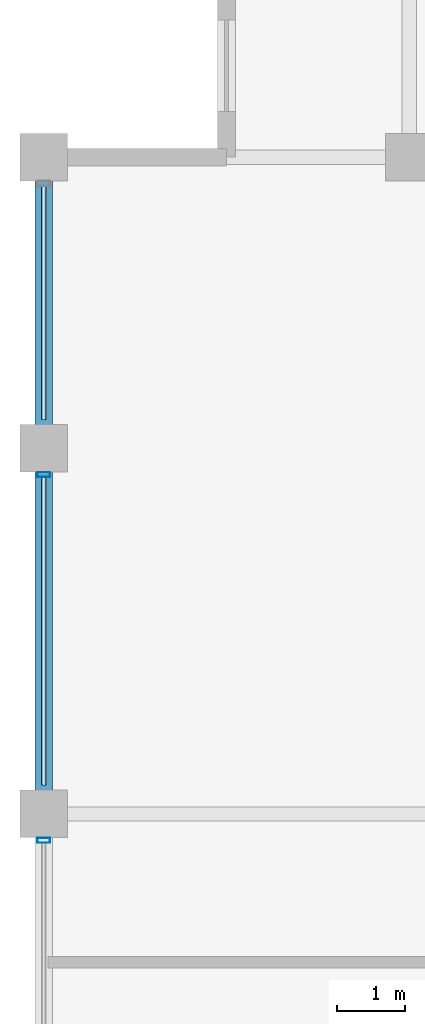
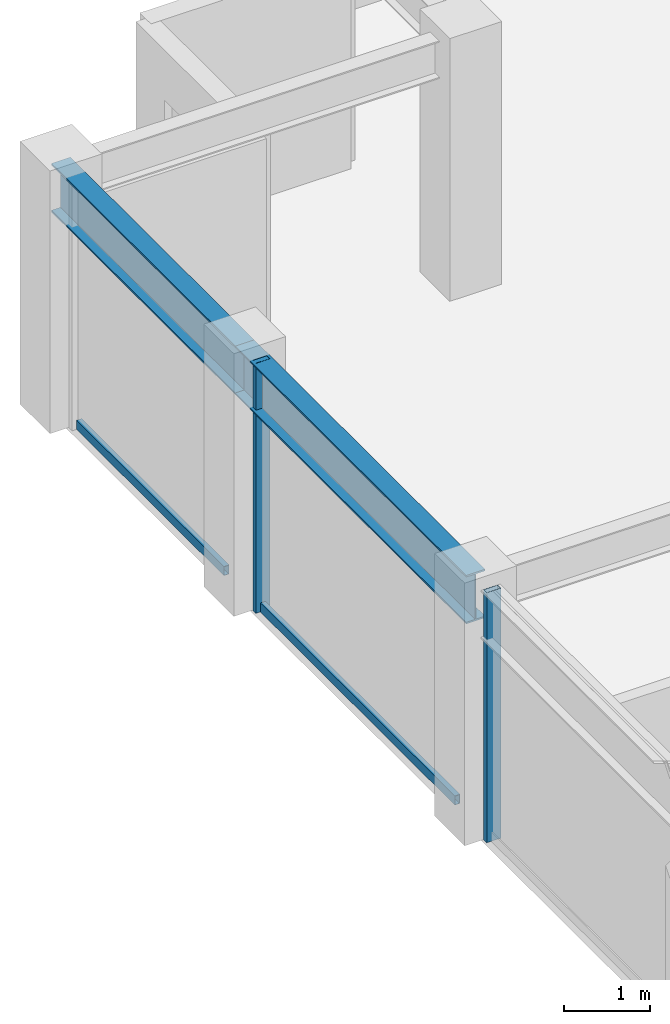
# One storey, part 14 of 30: 4 members, 2 beams, 1 element without a shape of its own.
"""IFC4 building model written with IfcOpenShell, lengths in metres."""

from ifc_helpers import new_model, si_unit, direction, frame, origin, origin_2d, place, context, subcontext, project, spatial, hollow_rectangle, i_section, extrude, material, layer, layer_set, material_profile, profile_set, type_object, element, aggregate, save


model = new_model("IFC4")

# Units and contexts
model_context = context("Model", 3, precision=1e-05, world=origin(), true_north=direction((0.0, 1.0)))
body_context = subcontext(model_context, "Body", "Model", "MODEL_VIEW")
ifc_project = project(units=[si_unit("LENGTHUNIT", "METRE"), si_unit("AREAUNIT", "SQUARE_METRE"), si_unit("VOLUMEUNIT", "CUBIC_METRE"), si_unit("PLANEANGLEUNIT", "RADIAN"), si_unit("MASSUNIT", "GRAM", prefix="KILO")], contexts=[model_context])

# Site, building, storey
site_placement = place(None, origin())
site = spatial("IfcSite", under=ifc_project, at=site_placement, CompositionType="ELEMENT")
building_placement = place(site_placement, origin())
building = spatial("IfcBuilding", under=site, at=building_placement, Name="Surkhivell Harbour Commons", CompositionType="ELEMENT")
storey_placement = place(building_placement, frame((0.0, 0.0, 292.5)))
storey = spatial("IfcBuildingStorey", under=building, at=storey_placement, Name="L76", CompositionType="ELEMENT", Elevation=292.5)

# Beams
ifc_material_1 = material(Name="Steel S355", Category="steel")
ifc_material_profile_1 = material_profile(ifc_material_1, i_section(OverallWidth=0.256103515625, OverallDepth=0.693115234375, WebThickness=0.014404296875, FlangeThickness=0.023681640625, at=origin_2d()), Name="UB686x254x170")
ifc_profile_set_1 = profile_set([ifc_material_profile_1], Name="Steel S355")
beam_type = type_object("IfcBeamType", Name="BM-SPN-686", PredefinedType="SPANDREL", material=ifc_profile_set_1)
beam_1_placement = place(storey_placement, frame((-27.0, 10.800048828125, 3.223388671875), z_axis=(0.0, 1.0, 0.0), x_axis=(-1.0, 0.0, 0.0)))
element("IfcBeam", 1, at=beam_1_placement, inside=storey, type_object=beam_type, Name="L76 Tube Spandrel (-27.0,10.8)", PredefinedType="SPANDREL", context=body_context, shape_type="SweptSolid", body=[
    extrude(i_section(OverallWidth=0.256103515625, OverallDepth=0.693115234375, WebThickness=0.014404296875, FlangeThickness=0.023681640625, at=origin_2d()), origin(), (0.0, 0.0, 1.0), 5.39990234375),
])
beam_2_placement = place(storey_placement, frame((-27.0, 16.199951171875, 3.223388671875), z_axis=(0.0, 1.0, 0.0), x_axis=(-1.0, 0.0, 0.0)))
element("IfcBeam", 2, at=beam_2_placement, inside=storey, type_object=beam_type, Name="L76 Tube Spandrel (-27.0,16.2)", PredefinedType="SPANDREL", context=body_context, shape_type="SweptSolid", body=[
    extrude(i_section(OverallWidth=0.256103515625, OverallDepth=0.693115234375, WebThickness=0.014404296875, FlangeThickness=0.023681640625, at=origin_2d()), origin(), (0.0, 0.0, 1.0), 4.300048828125),
])

# Curtain wall, members
ifc_material_2 = material(Name="Anodised pale-metal aluminium and insulated glazing", Category="aluminium")
ifc_layer = layer(ifc_material_2, 0.175048828125)
ifc_layer_set = layer_set([ifc_layer], Name="Anodised pale-metal aluminium and insulated glazing")
curtain_wall_type = type_object("IfcCurtainWallType", Name="CW-SYS-Z4", PredefinedType="NOTDEFINED", material=ifc_layer_set)
curtain_wall_placement = place(storey_placement, origin())
curtain_wall = element("IfcCurtainWall", 3, at=curtain_wall_placement, inside=storey, type_object=curtain_wall_type, Name="L76 Curtain Wall CW-L76-E12S1", PredefinedType="NOTDEFINED")
ifc_material_3 = material(Name="Anodised pale-metal aluminium alloy 6063-T6", Category="aluminium")
ifc_material_profile_2 = material_profile(ifc_material_3, hollow_rectangle(XDim=0.074951171875, YDim=0.18994140625, WallThickness=0.00390625, at=origin_2d()), Name="ALU-MULL-75x190")
ifc_profile_set_2 = profile_set([ifc_material_profile_2], Name="Anodised pale-metal aluminium alloy 6063-T6")
member_type_1 = type_object("IfcMemberType", Name="CWM-190", PredefinedType="MULLION", material=ifc_profile_set_2)
member_1_placement = place(storey_placement, frame((-27.0, 15.810546875, 0.0), z_axis=(0.0, 0.0, 1.0), x_axis=(0.0, -1.0, 0.0)))
member_1 = element("IfcMember", 4, at=member_1_placement, type_object=member_type_1, Name="CW-Z4 mullion 2", PredefinedType="MULLION", context=body_context, shape_type="SweptSolid", body=[
    extrude(hollow_rectangle(XDim=0.074951171875, YDim=0.18994140625, WallThickness=0.00390625, at=origin_2d()), origin(), (0.0, 0.0, 1.0), 3.570068359375),
])
member_2_placement = place(storey_placement, frame((-27.0, 10.410400390625, 0.0), z_axis=(0.0, 0.0, 1.0), x_axis=(0.0, -1.0, 0.0)))
member_2 = element("IfcMember", 5, at=member_2_placement, type_object=member_type_1, Name="CW-Z4 mullion 3", PredefinedType="MULLION", context=body_context, shape_type="SweptSolid", body=[
    extrude(hollow_rectangle(XDim=0.074951171875, YDim=0.18994140625, WallThickness=0.00390625, at=origin_2d()), origin(), (0.0, 0.0, 1.0), 3.570068359375),
])
ifc_material_4 = material(Name="Champagne anodised aluminium alloy 6063-T6", Category="aluminium")
ifc_material_profile_3 = material_profile(ifc_material_4, hollow_rectangle(XDim=0.070068359375, YDim=0.1298828125, WallThickness=0.00341796875, at=origin_2d()), Name="ALU-TRAN-70x130")
ifc_profile_set_3 = profile_set([ifc_material_profile_3], Name="Champagne anodised aluminium alloy 6063-T6")
member_type_2 = type_object("IfcMemberType", Name="CWT-130", PredefinedType="USERDEFINED", material=ifc_profile_set_3)
member_3_placement = place(storey_placement, frame((-27.0, 20.072998046875, 0.06494140625), z_axis=(0.0, -1.0, 0.0), x_axis=(1.0, 0.0, 0.0)))
member_3 = element("IfcMember", 6, at=member_3_placement, type_object=member_type_2, Name="CW-Z4 transom 1.1", ObjectType="TRANSOM", PredefinedType="USERDEFINED", context=body_context, shape_type="SweptSolid", body=[
    extrude(hollow_rectangle(XDim=0.070068359375, YDim=0.1298828125, WallThickness=0.00341796875, at=origin_2d()), origin(), (0.0, 0.0, 1.0), 3.446044921875),
])
member_4_placement = place(storey_placement, frame((-27.0, 15.77294921875, 0.06494140625), z_axis=(0.0, -1.0, 0.0), x_axis=(1.0, 0.0, 0.0)))
member_4 = element("IfcMember", 7, at=member_4_placement, type_object=member_type_2, Name="CW-Z4 transom 2.1", ObjectType="TRANSOM", PredefinedType="USERDEFINED", context=body_context, shape_type="SweptSolid", body=[
    extrude(hollow_rectangle(XDim=0.070068359375, YDim=0.1298828125, WallThickness=0.00341796875, at=origin_2d()), origin(), (0.0, 0.0, 1.0), 4.5458984375),
])
aggregate(curtain_wall, [member_3, member_1, member_4, member_2])

save(model, "model.ifc")
